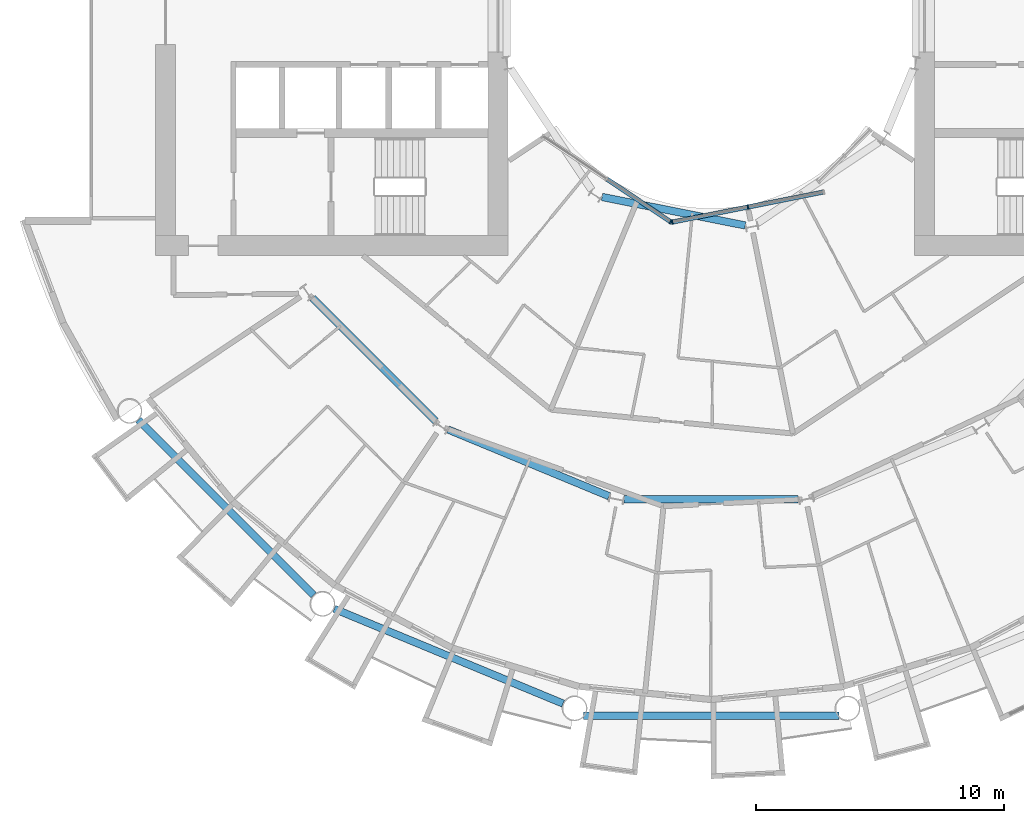
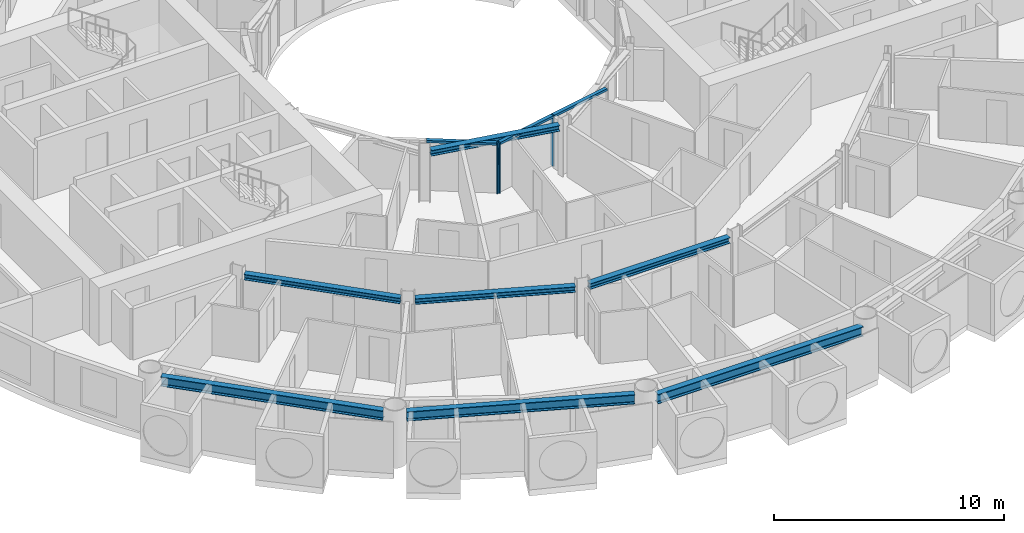
# One storey, part 4 of 26: 7 beams, 6 members, 2 elements without a shape of their own.
"""IFC4 building model written with IfcOpenShell, lengths in metres."""

from ifc_helpers import new_model, si_unit, direction, frame, origin, origin_2d, place, context, subcontext, project, spatial, rectangle, i_section, extrude, material, layer, layer_set, material_profile, profile_set, type_object, element, aggregate, save


model = new_model("IFC4")

# Units and contexts
model_context = context("Model", 3, precision=1e-05, world=origin(), true_north=direction((0.0, 1.0)))
body_context = subcontext(model_context, "Body", "Model", "MODEL_VIEW")
ifc_project = project(units=[si_unit("LENGTHUNIT", "METRE"), si_unit("AREAUNIT", "SQUARE_METRE"), si_unit("VOLUMEUNIT", "CUBIC_METRE"), si_unit("PLANEANGLEUNIT", "RADIAN"), si_unit("MASSUNIT", "GRAM", prefix="KILO")], contexts=[model_context])

# Site, building, storey
site_placement = place(None, origin())
site = spatial("IfcSite", under=ifc_project, at=site_placement, CompositionType="ELEMENT")
building_placement = place(site_placement, origin())
building = spatial("IfcBuilding", under=site, at=building_placement, Name="Maasbend Ring Residences", CompositionType="ELEMENT")
storey_placement = place(building_placement, frame((0.0, 0.0, 22.800048828125)))
storey = spatial("IfcBuildingStorey", under=building, at=storey_placement, Name="L05", CompositionType="ELEMENT", Elevation=22.800048828125)

# Curtain wall, member
ifc_material_1 = material(Name="Aluminium and clear glass", Category="aluminium")
ifc_layer = layer(ifc_material_1, 0.179931640625)
ifc_layer_set = layer_set([ifc_layer], Name="CW-W")
curtain_wall_type = type_object("IfcCurtainWallType", Name="CW-W", PredefinedType="NOTDEFINED", material=ifc_layer_set)
curtain_wall_1_placement = place(storey_placement, origin())
curtain_wall_1 = element("IfcCurtainWall", 1, at=curtain_wall_1_placement, inside=storey, type_object=curtain_wall_type, Name="Well curtain wall S1", PredefinedType="NOTDEFINED")
ifc_material_2 = material(Name="Aluminium 6063-T6", Category="aluminium")
ifc_material_profile_1 = material_profile(ifc_material_2, rectangle(XDim=0.179931640625, YDim=0.06005859375, at=origin_2d()), Name="AL 180x60")
ifc_profile_set_1 = profile_set([ifc_material_profile_1], Name="Aluminium 6063-T6")
member_type_1 = type_object("IfcMemberType", Name="CWM-W", PredefinedType="MULLION", material=ifc_profile_set_1)
member_1_placement = place(storey_placement, frame((-1.627685546875, -8.040771484375, 0.0), z_axis=(0.0, 0.0, 1.0), x_axis=(0.55557023302, 0.831469612303, 0.0)))
member_1 = element("IfcMember", 2, at=member_1_placement, type_object=member_type_1, Name="Mullion well face", PredefinedType="MULLION", context=body_context, shape_type="SweptSolid", body=[
    extrude(rectangle(XDim=0.179931640625, YDim=0.06005859375, at=origin_2d()), origin(), (0.0, 0.0, 1.0), 2.699951171875),
])

# Curtain wall, members
curtain_wall_2_placement = place(storey_placement, origin())
curtain_wall_2 = element("IfcCurtainWall", 3, at=curtain_wall_2_placement, inside=storey, type_object=curtain_wall_type, Name="Well curtain wall S2", PredefinedType="NOTDEFINED")
member_2_placement = place(storey_placement, frame((-1.5732421875, -8.0517578125, 0.0), z_axis=(0.0, 0.0, 1.0), x_axis=(-0.195090322016, 0.980785280403, 0.0)))
member_2 = element("IfcMember", 4, at=member_2_placement, type_object=member_type_1, Name="Mullion well face", PredefinedType="MULLION", context=body_context, shape_type="SweptSolid", body=[
    extrude(rectangle(XDim=0.179931640625, YDim=0.06005859375, at=origin_2d()), origin(), (0.0, 0.0, 1.0), 2.699951171875),
])
member_3_placement = place(storey_placement, frame((1.480712890625, -7.444091796875, 0.0), z_axis=(0.0, 0.0, 1.0), x_axis=(-0.195090322016, 0.980785280403, 0.0)))
member_3 = element("IfcMember", 5, at=member_3_placement, type_object=member_type_1, Name="Mullion well face", PredefinedType="MULLION", context=body_context, shape_type="SweptSolid", body=[
    extrude(rectangle(XDim=0.179931640625, YDim=0.06005859375, at=origin_2d()), origin(), (0.0, 0.0, 1.0), 2.699951171875),
])

# Member
ifc_material_3 = material(Name="Aluminium 6063-T6", Category="aluminium")
ifc_material_profile_2 = material_profile(ifc_material_3, rectangle(XDim=0.179931640625, YDim=0.1201171875, at=origin_2d()), Name="AL 180x120")
ifc_profile_set_2 = profile_set([ifc_material_profile_2], Name="Aluminium 6063-T6")
member_type_2 = type_object("IfcMemberType", Name="CWT-W", PredefinedType="USERDEFINED", material=ifc_profile_set_2)
member_4_placement = place(storey_placement, frame((-4.19189453125, -6.32763671875, 2.639892578125), z_axis=(0.831496422459, -0.555530106689, 0.0), x_axis=(0.555530106689, 0.831496422459, 0.0)))
member_4 = element("IfcMember", 6, at=member_4_placement, type_object=member_type_2, Name="Transom well face", ObjectType="TRANSOM", PredefinedType="USERDEFINED", context=body_context, shape_type="SweptSolid", body=[
    extrude(rectangle(XDim=0.179931640625, YDim=0.1201171875, at=origin_2d()), origin(), (0.0, 0.0, 1.0), 3.053955078125),
])

aggregate(curtain_wall_1, [member_1, member_4])

member_5_placement = place(storey_placement, frame((-1.5439453125, -8.0458984375, 2.639892578125), z_axis=(0.980776956105, 0.195132166424, 0.0), x_axis=(-0.195132166424, 0.980776956105, 0.0)))
member_5 = element("IfcMember", 7, at=member_5_placement, type_object=member_type_2, Name="Transom well face", ObjectType="TRANSOM", PredefinedType="USERDEFINED", context=body_context, shape_type="SweptSolid", body=[
    extrude(rectangle(XDim=0.179931640625, YDim=0.1201171875, at=origin_2d()), origin(), (0.0, 0.0, 1.0), 3.053955078125),
])

member_6_placement = place(storey_placement, frame((1.51025390625, -7.438232421875, 2.639892578125), z_axis=(0.980789210404, 0.19507056353, 0.0), x_axis=(-0.19507056353, 0.980789210404, 0.0)))
member_6 = element("IfcMember", 8, at=member_6_placement, type_object=member_type_2, Name="Transom well face", ObjectType="TRANSOM", PredefinedType="USERDEFINED", context=body_context, shape_type="SweptSolid", body=[
    extrude(rectangle(XDim=0.179931640625, YDim=0.1201171875, at=origin_2d()), origin(), (0.0, 0.0, 1.0), 3.0537109375),
])

aggregate(curtain_wall_2, [member_2, member_3, member_5, member_6])

# Beams
ifc_material_4 = material(Name="Steel S355J2", Category="steel")
ifc_material_profile_3 = material_profile(ifc_material_4, i_section(OverallWidth=0.300048828125, OverallDepth=0.300048828125, WebThickness=0.010986328125, FlangeThickness=0.01904296875, FilletRadius=0.027099609375, at=origin_2d()), Name="HEB 300")
ifc_profile_set_3 = profile_set([ifc_material_profile_3], Name="Steel S355J2")
beam_type_1 = type_object("IfcBeamType", Name="Corridor ring beam HEB 300", PredefinedType="BEAM", material=ifc_profile_set_3)
beam_1_placement = place(storey_placement, frame((-16.0732421875, -11.11279296875, 2.550048828125), z_axis=(0.707106781187, -0.707106781187, 0.0), x_axis=(0.707106781187, 0.707106781187, 0.0)))
element("IfcBeam", 9, at=beam_1_placement, inside=storey, type_object=beam_type_1, Name="Corridor ring beam", PredefinedType="BEAM", context=body_context, shape_type="SweptSolid", body=[
    extrude(i_section(OverallWidth=0.300048828125, OverallDepth=0.300048828125, WebThickness=0.010986328125, FlangeThickness=0.01904296875, FilletRadius=0.027099609375, at=origin_2d()), origin(), (0.0, 0.0, 1.0), 7.01513671875),
])
beam_2_placement = place(storey_placement, frame((-10.59716796875, -16.417724609375, 2.550048828125), z_axis=(0.923886196809, -0.38266734293, 0.0), x_axis=(0.38266734293, 0.923886196809, 0.0)))
element("IfcBeam", 10, at=beam_2_placement, inside=storey, type_object=beam_type_1, Name="Corridor ring beam", PredefinedType="BEAM", context=body_context, shape_type="SweptSolid", body=[
    extrude(i_section(OverallWidth=0.300048828125, OverallDepth=0.300048828125, WebThickness=0.010986328125, FlangeThickness=0.01904296875, FilletRadius=0.027099609375, at=origin_2d()), origin(), (0.0, 0.0, 1.0), 7.015380859375),
])
beam_3_placement = place(storey_placement, frame((-3.5078125, -19.223388671875, 2.550048828125), z_axis=(1.0, 0.0, 0.0), x_axis=(0.0, 1.0, 0.0)))
element("IfcBeam", 11, at=beam_3_placement, inside=storey, type_object=beam_type_1, Name="Corridor ring beam", PredefinedType="BEAM", context=body_context, shape_type="SweptSolid", body=[
    extrude(i_section(OverallWidth=0.300048828125, OverallDepth=0.300048828125, WebThickness=0.010986328125, FlangeThickness=0.01904296875, FilletRadius=0.027099609375, at=origin_2d()), origin(), (0.0, 0.0, 1.0), 7.015625),
])
ifc_material_5 = material(Name="Steel S355J2", Category="steel")
ifc_material_profile_4 = material_profile(ifc_material_5, i_section(OverallWidth=0.300048828125, OverallDepth=0.5, WebThickness=0.014404296875, FlangeThickness=0.028076171875, FilletRadius=0.027099609375, at=origin_2d()), Name="HEB 500")
ifc_profile_set_4 = profile_set([ifc_material_profile_4], Name="Steel S355J2")
beam_type_2 = type_object("IfcBeamType", Name="Spandrel ring beam HEB 500", PredefinedType="SPANDREL", material=ifc_profile_set_4)
beam_4_placement = place(storey_placement, frame((-23.088134765625, -16.0263671875, 2.449951171875), z_axis=(0.707106781187, -0.707106781187, 0.0), x_axis=(0.707106781187, 0.707106781187, 0.0)))
element("IfcBeam", 12, at=beam_4_placement, inside=storey, type_object=beam_type_2, Name="Spandrel ring beam", PredefinedType="SPANDREL", context=body_context, shape_type="SweptSolid", body=[
    extrude(i_section(OverallWidth=0.300048828125, OverallDepth=0.5, WebThickness=0.014404296875, FlangeThickness=0.028076171875, FilletRadius=0.027099609375, at=origin_2d()), origin(), (0.0, 0.0, 1.0), 9.98681640625),
])
beam_5_placement = place(storey_placement, frame((-15.19775390625, -23.641845703125, 2.449951171875), z_axis=(0.923886337442, -0.382667003395, 0.0), x_axis=(0.382667003395, 0.923886337442, 0.0)))
element("IfcBeam", 13, at=beam_5_placement, inside=storey, type_object=beam_type_2, Name="Spandrel ring beam", PredefinedType="SPANDREL", context=body_context, shape_type="SweptSolid", body=[
    extrude(i_section(OverallWidth=0.300048828125, OverallDepth=0.5, WebThickness=0.014404296875, FlangeThickness=0.028076171875, FilletRadius=0.027099609375, at=origin_2d()), origin(), (0.0, 0.0, 1.0), 9.9873046875),
])
beam_6_placement = place(storey_placement, frame((-5.1435546875, -27.9580078125, 2.449951171875), z_axis=(1.0, 0.0, 0.0), x_axis=(0.0, 1.0, 0.0)))
element("IfcBeam", 14, at=beam_6_placement, inside=storey, type_object=beam_type_2, Name="Spandrel ring beam", PredefinedType="SPANDREL", context=body_context, shape_type="SweptSolid", body=[
    extrude(i_section(OverallWidth=0.300048828125, OverallDepth=0.5, WebThickness=0.014404296875, FlangeThickness=0.028076171875, FilletRadius=0.027099609375, at=origin_2d()), origin(), (0.0, 0.0, 1.0), 10.287109375),
])
ifc_material_6 = material(Name="Steel S355J2", Category="steel")
ifc_material_profile_5 = material_profile(ifc_material_6, i_section(OverallWidth=0.300048828125, OverallDepth=0.300048828125, WebThickness=0.010986328125, FlangeThickness=0.01904296875, FilletRadius=0.027099609375, at=origin_2d()), Name="HEB 300")
ifc_profile_set_5 = profile_set([ifc_material_profile_5], Name="Steel S355J2")
beam_type_3 = type_object("IfcBeamType", Name="Well edge beam HEB 300", PredefinedType="BEAM", material=ifc_profile_set_5)
beam_7_placement = place(storey_placement, frame((-4.4013671875, -7.037109375, 2.550048828125), z_axis=(0.980784282486, -0.195095338819, 0.0), x_axis=(0.195095338819, 0.980784282486, 0.0)))
element("IfcBeam", 15, at=beam_7_placement, inside=storey, type_object=beam_type_3, Name="Well edge beam", PredefinedType="BEAM", context=body_context, shape_type="SweptSolid", body=[
    extrude(i_section(OverallWidth=0.300048828125, OverallDepth=0.300048828125, WebThickness=0.010986328125, FlangeThickness=0.01904296875, FilletRadius=0.027099609375, at=origin_2d()), origin(), (0.0, 0.0, 1.0), 5.8876953125),
])

save(model, "model.ifc")
